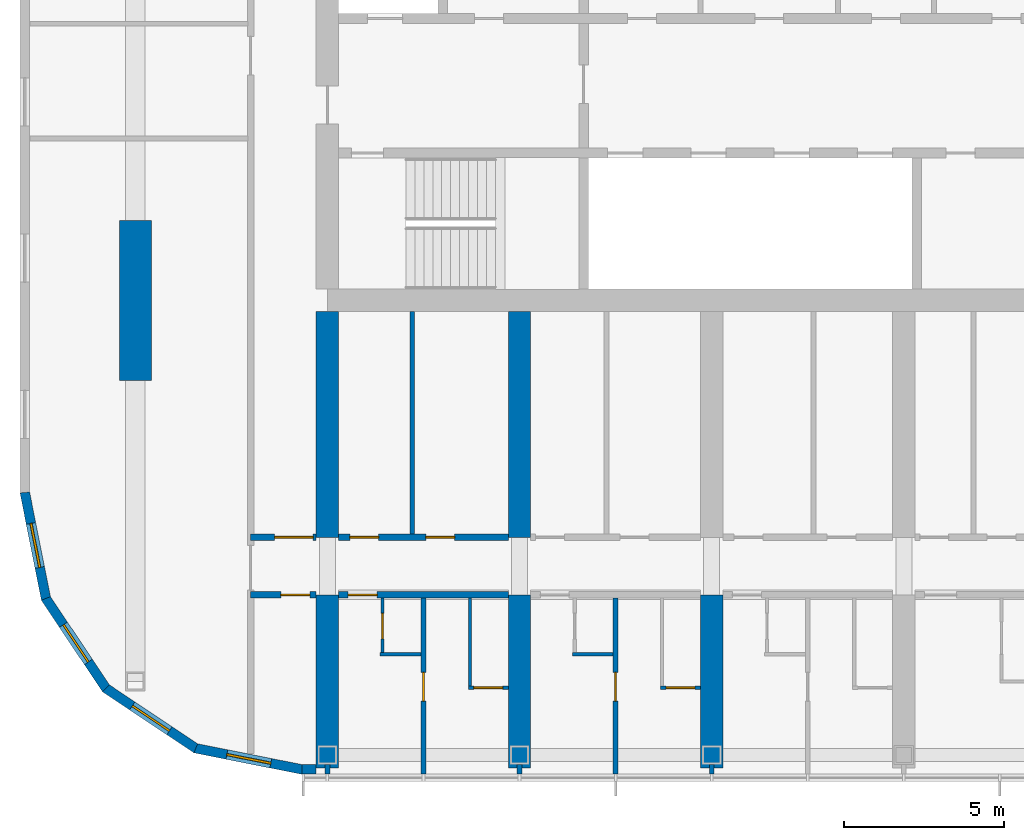
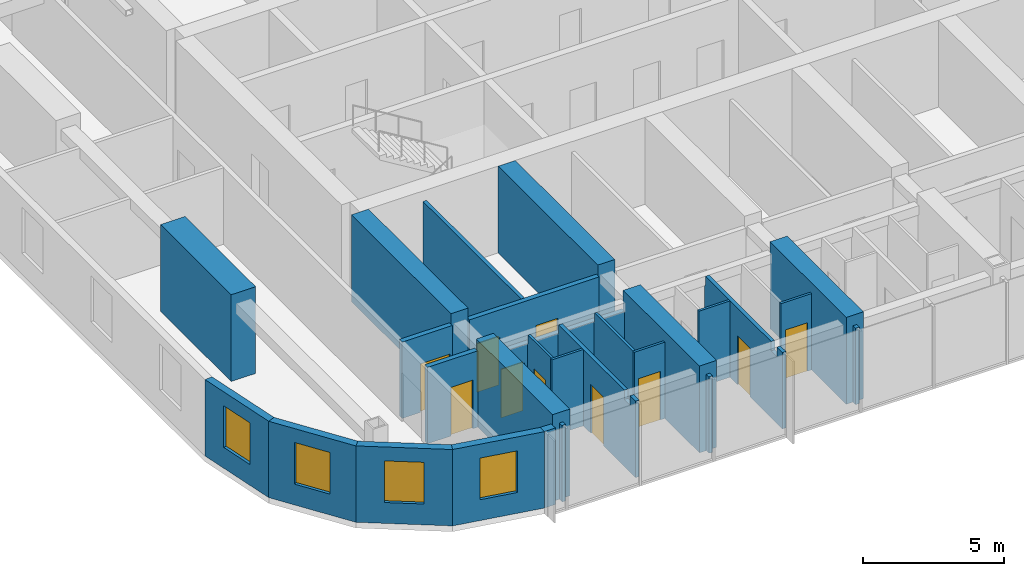
# One storey, part 10 of 24: 27 walls, 10 doors, 4 windows, 14 openings.
"""IFC4 building model written with IfcOpenShell, lengths in metres."""

from ifc_helpers import new_model, si_unit, direction, frame, frame_2d, origin, place, context, subcontext, project, spatial, polyline, rectangle, outline, extrude, material, layer, layer_set, type_object, element, fill, save


model = new_model("IFC4")

# Units and contexts
model_context = context("Model", 3, precision=1e-05, world=origin(), true_north=direction((0.0, 1.0)))
body_context = subcontext(model_context, "Body", "Model", "MODEL_VIEW")
ifc_project = project(units=[si_unit("LENGTHUNIT", "METRE"), si_unit("AREAUNIT", "SQUARE_METRE"), si_unit("VOLUMEUNIT", "CUBIC_METRE"), si_unit("PLANEANGLEUNIT", "RADIAN"), si_unit("MASSUNIT", "GRAM", prefix="KILO")], contexts=[model_context])

# Site, building, storey
site_placement = place(None, origin())
site = spatial("IfcSite", under=ifc_project, at=site_placement, CompositionType="ELEMENT")
building_placement = place(site_placement, origin())
building = spatial("IfcBuilding", under=site, at=building_placement, Name="Orbita Commons", CompositionType="ELEMENT")
storey_placement = place(building_placement, frame((0.0, 0.0, 242.800048828125)))
storey = spatial("IfcBuildingStorey", under=building, at=storey_placement, Name="L60", CompositionType="ELEMENT", Elevation=242.800048828125)

# Wall, opening, door
ifc_material_1 = material(Name="Concrete blockwork", Category="masonry")
ifc_layer_1 = layer(ifc_material_1, 0.199951171875)
ifc_layer_set_1 = layer_set([ifc_layer_1], Name="Concrete blockwork")
wall_type_1 = type_object("IfcWallType", Name="Corridor wall 200 blockwork", PredefinedType="SOLIDWALL", material=ifc_layer_set_1)
wall_1_placement = place(storey_placement, frame((15.60009765625, 16.60009765625, 0.0), z_axis=(0.0, 0.0, 1.0), x_axis=(1.0, 0.0, 0.0)))
wall_1 = element("IfcWall", 1, at=wall_1_placement, inside=storey, type_object=wall_type_1, Name="Corridor wall 200 blockwork L60", PredefinedType="SOLIDWALL", context=body_context, shape_type="SweptSolid", body=[
    extrude(rectangle(XDim=2.0498046875, YDim=0.199951171875, at=frame_2d((1.02490234375, 0.0))), origin(), (0.0, 0.0, 1.0), 3.300048828125),
])
opening_1_placement = place(wall_1_placement, frame((0.949951171875, 0.0, 0.0)))
opening_1 = element("IfcOpeningElement", 2, at=opening_1_placement, cuts=wall_1, Name="Opening D05", PredefinedType="OPENING", context=body_context, shape_type="SweptSolid", body=[
    extrude(rectangle(XDim=0.89990234375, YDim=2.10009765625, at=frame_2d((0.449951171875, 1.050048828125))), frame((0.0, 0.10986328125, 0.0), z_axis=(0.0, -1.0, 0.0), x_axis=(1.0, 0.0, 0.0)), (0.0, 0.0, 1.0), 0.219970703125),
])
ifc_material_2 = material(Name="Steel-faced fire door leaf", Category="steel")
door_type_1 = type_object("IfcDoorType", Name="Service door 20 min 900x2100", OperationType="SINGLE_SWING_LEFT", PredefinedType="DOOR", material=ifc_material_2)
door_1_placement = place(opening_1_placement, origin())
door_1 = element("IfcDoor", 3, at=door_1_placement, inside=storey, type_object=door_type_1, Name="Linen store L60-KWS door", OperationType="SINGLE_SWING_LEFT", OverallHeight=2.10009765625, OverallWidth=0.89990234375, PredefinedType="DOOR", context=body_context, shape_type="SweptSolid", body=[
    extrude(rectangle(XDim=0.89990234375, YDim=2.10009765625, at=frame_2d((0.449951171875, 1.050048828125))), frame((0.0, 0.02490234375, 0.0), z_axis=(0.0, -1.0, 0.0), x_axis=(1.0, 0.0, 0.0)), (0.0, 0.0, 1.0), 0.050048828125),
])
fill(opening_1, door_1)

wall_2_placement = place(storey_placement, frame((18.35009765625, 16.60009765625, 0.0), z_axis=(0.0, 0.0, 1.0), x_axis=(1.0, 0.0, 0.0)))
wall_2 = element("IfcWall", 4, at=wall_2_placement, inside=storey, type_object=wall_type_1, Name="Corridor wall 200 blockwork L60", PredefinedType="SOLIDWALL", context=body_context, shape_type="SweptSolid", body=[
    extrude(outline(polyline([(0.0, 0.0), (5.2998046875, 0.0), (5.300048828125, 2.89990234375), (0.0, 2.89990234375), (0.0, 0.0)])), frame((0.0, 0.10009765625, 0.0), z_axis=(0.0, -1.0, 0.0), x_axis=(1.0, 0.0, 0.0)), (0.0, 0.0, 1.0), 0.199951171875),
])
opening_2_placement = place(wall_2_placement, frame((0.300048828125, 0.0, 0.0)))
opening_2 = element("IfcOpeningElement", 5, at=opening_2_placement, cuts=wall_2, Name="Opening D11", PredefinedType="OPENING", context=body_context, shape_type="SweptSolid", body=[
    extrude(rectangle(XDim=0.89990234375, YDim=2.10009765625, at=frame_2d((0.449951171875, 1.050048828125))), frame((0.0, 0.10986328125, 0.0), z_axis=(0.0, -1.0, 0.0), x_axis=(1.0, 0.0, 0.0)), (0.0, 0.0, 1.0), 0.219970703125),
])
ifc_material_3 = material(Name="Steel-faced fire door leaf", Category="steel")
door_type_2 = type_object("IfcDoorType", Name="Corridor door 20 min 900x2100", OperationType="SINGLE_SWING_LEFT", PredefinedType="DOOR", material=ifc_material_3)
door_2_placement = place(opening_2_placement, origin())
door_2 = element("IfcDoor", 6, at=door_2_placement, inside=storey, type_object=door_type_2, Name="Guest suite sitting room and kitchenette L60-S00 entrance door", OperationType="SINGLE_SWING_LEFT", OverallHeight=2.10009765625, OverallWidth=0.89990234375, PredefinedType="DOOR", context=body_context, shape_type="SweptSolid", body=[
    extrude(rectangle(XDim=0.89990234375, YDim=2.10009765625, at=frame_2d((0.449951171875, 1.050048828125))), frame((0.0, 0.02490234375, 0.0), z_axis=(0.0, -1.0, 0.0), x_axis=(1.0, 0.0, 0.0)), (0.0, 0.0, 1.0), 0.050048828125),
])
fill(opening_2, door_2)

ifc_material_4 = material(Name="Hollow concrete block 200", Category="concrete")
ifc_layer_2 = layer(ifc_material_4, 0.199951171875)
ifc_layer_set_2 = layer_set([ifc_layer_2], Name="Hollow concrete block 200")
wall_type_2 = type_object("IfcWallType", Name="Corridor wall 200 hollow concrete block", PredefinedType="SOLIDWALL", material=ifc_layer_set_2)
wall_3_placement = place(storey_placement, frame((15.60009765625, 18.39990234375, 0.0), z_axis=(0.0, 0.0, 1.0), x_axis=(1.0, 0.0, 0.0)))
wall_3 = element("IfcWall", 7, at=wall_3_placement, inside=storey, type_object=wall_type_2, Name="Corridor wall 200 hollow concrete block L60", PredefinedType="SOLIDWALL", context=body_context, shape_type="SweptSolid", body=[
    extrude(rectangle(XDim=2.0498046875, YDim=0.199951171875, at=frame_2d((1.02490234375, 0.0))), origin(), (0.0, 0.0, 1.0), 3.300048828125),
])
opening_3_placement = place(wall_3_placement, frame((0.75, 0.0, 0.0)))
opening_3 = element("IfcOpeningElement", 8, at=opening_3_placement, cuts=wall_3, Name="Opening D12", PredefinedType="OPENING", context=body_context, shape_type="SweptSolid", body=[
    extrude(rectangle(XDim=1.199951171875, YDim=2.10009765625, at=frame_2d((0.60009765625, 1.050048828125))), frame((0.0, 0.10986328125, 0.0), z_axis=(0.0, -1.0, 0.0), x_axis=(1.0, 0.0, 0.0)), (0.0, 0.0, 1.0), 0.219970703125),
])
ifc_material_5 = material(Name="Steel-faced fire door leaf", Category="steel")
door_type_3 = type_object("IfcDoorType", Name="Double corridor door 20 min 1200x2100", OperationType="DOUBLE_DOOR_SINGLE_SWING", PredefinedType="DOOR", material=ifc_material_5)
door_3_placement = place(opening_3_placement, origin())
door_3 = element("IfcDoor", 9, at=door_3_placement, inside=storey, type_object=door_type_3, Name="Cross corridor doors", OperationType="DOUBLE_DOOR_SINGLE_SWING", OverallHeight=2.10009765625, OverallWidth=1.199951171875, PredefinedType="DOOR", context=body_context, shape_type="SweptSolid", body=[
    extrude(rectangle(XDim=1.199951171875, YDim=2.10009765625, at=frame_2d((0.60009765625, 1.050048828125))), frame((0.0, 0.02490234375, 0.0), z_axis=(0.0, -1.0, 0.0), x_axis=(1.0, 0.0, 0.0)), (0.0, 0.0, 1.0), 0.050048828125),
])
fill(opening_3, door_3)

# Wall, openings, doors
wall_4_placement = place(storey_placement, frame((18.35009765625, 18.39990234375, 0.0), z_axis=(0.0, 0.0, 1.0), x_axis=(1.0, 0.0, 0.0)))
wall_4 = element("IfcWall", 10, at=wall_4_placement, inside=storey, type_object=wall_type_2, Name="Corridor wall 200 hollow concrete block L60", PredefinedType="SOLIDWALL", context=body_context, shape_type="SweptSolid", body=[
    extrude(rectangle(XDim=5.2998046875, YDim=0.199951171875, at=frame_2d((2.64990234375, 0.0))), origin(), (0.0, 0.0, 1.0), 3.300048828125),
])
opening_4_placement = place(wall_4_placement, frame((0.35009765625, 0.0, 0.0)))
opening_4 = element("IfcOpeningElement", 11, at=opening_4_placement, cuts=wall_4, Name="Opening D11", PredefinedType="OPENING", context=body_context, shape_type="SweptSolid", body=[
    extrude(rectangle(XDim=0.89990234375, YDim=2.10009765625, at=frame_2d((0.449951171875, 1.050048828125))), frame((0.0, 0.10986328125, 0.0), z_axis=(0.0, -1.0, 0.0), x_axis=(1.0, 0.0, 0.0)), (0.0, 0.0, 1.0), 0.219970703125),
])
opening_5_placement = place(wall_4_placement, frame((2.72509765625, 0.0, 0.0)))
opening_5 = element("IfcOpeningElement", 12, at=opening_5_placement, cuts=wall_4, Name="Opening D11", PredefinedType="OPENING", context=body_context, shape_type="SweptSolid", body=[
    extrude(rectangle(XDim=0.89990234375, YDim=2.10009765625, at=frame_2d((0.449951171875, 1.050048828125))), frame((0.0, 0.10986328125, 0.0), z_axis=(0.0, -1.0, 0.0), x_axis=(1.0, 0.0, 0.0)), (0.0, 0.0, 1.0), 0.219970703125),
])
door_4_placement = place(opening_4_placement, origin())
door_4 = element("IfcDoor", 13, at=door_4_placement, inside=storey, type_object=door_type_2, Name="Accessible WC and shower room L60-BDS18n door", OperationType="SINGLE_SWING_LEFT", OverallHeight=2.10009765625, OverallWidth=0.89990234375, PredefinedType="DOOR", context=body_context, shape_type="SweptSolid", body=[
    extrude(rectangle(XDim=0.89990234375, YDim=2.10009765625, at=frame_2d((0.449951171875, 1.050048828125))), frame((0.0, 0.02490234375, 0.0), z_axis=(0.0, -1.0, 0.0), x_axis=(1.0, 0.0, 0.0)), (0.0, 0.0, 1.0), 0.050048828125),
])
fill(opening_4, door_4)
door_5_placement = place(opening_5_placement, origin())
door_5 = element("IfcDoor", 14, at=door_5_placement, inside=storey, type_object=door_type_2, Name="Interview room L60-BDS18 door", OperationType="SINGLE_SWING_LEFT", OverallHeight=2.10009765625, OverallWidth=0.89990234375, PredefinedType="DOOR", context=body_context, shape_type="SweptSolid", body=[
    extrude(rectangle(XDim=0.89990234375, YDim=2.10009765625, at=frame_2d((0.449951171875, 1.050048828125))), frame((0.0, 0.02490234375, 0.0), z_axis=(0.0, -1.0, 0.0), x_axis=(1.0, 0.0, 0.0)), (0.0, 0.0, 1.0), 0.050048828125),
])
fill(opening_5, door_5)

# Walls
ifc_material_6 = material(Name="Concrete C50/60", Category="concrete")
ifc_layer_3 = layer(ifc_material_6, 0.699951171875)
ifc_layer_set_3 = layer_set([ifc_layer_3], Name="Concrete C50/60")
wall_type_3 = type_object("IfcWallType", Name="Cross wall 700 C50/60", PredefinedType="SHEAR", material=ifc_layer_set_3)
wall_5_placement = place(storey_placement, frame((18.0, 11.199951171875, 0.0), z_axis=(0.0, 0.0, 1.0), x_axis=(0.0, 1.0, 0.0)))
element("IfcWall", 15, at=wall_5_placement, inside=storey, type_object=wall_type_3, Name="Cross wall 4 south outer L60", PredefinedType="SHEAR", context=body_context, shape_type="SweptSolid", body=[
    extrude(rectangle(XDim=5.400146484375, YDim=0.699951171875, at=frame_2d((2.7001953125, 0.0))), origin(), (0.0, 0.0, 1.0), 3.75),
])
wall_6_placement = place(storey_placement, frame((18.0, 18.39990234375, 0.0), z_axis=(0.0, 0.0, 1.0), x_axis=(0.0, 1.0, 0.0)))
element("IfcWall", 16, at=wall_6_placement, inside=storey, type_object=wall_type_3, Name="Cross wall 4 south inner L60", PredefinedType="SHEAR", context=body_context, shape_type="SweptSolid", body=[
    extrude(rectangle(XDim=7.050048828125, YDim=0.699951171875, at=frame_2d((3.52490234375, 0.0))), origin(), (0.0, 0.0, 1.0), 3.75),
])
wall_7_placement = place(storey_placement, frame((24.0, 11.199951171875, 0.0), z_axis=(0.0, 0.0, 1.0), x_axis=(0.0, 1.0, 0.0)))
element("IfcWall", 17, at=wall_7_placement, inside=storey, type_object=wall_type_3, Name="Cross wall 5 south outer L60", PredefinedType="SHEAR", context=body_context, shape_type="SweptSolid", body=[
    extrude(rectangle(XDim=5.400146484375, YDim=0.699951171875, at=frame_2d((2.7001953125, 0.0))), origin(), (0.0, 0.0, 1.0), 3.75),
])
wall_8_placement = place(storey_placement, frame((24.0, 18.39990234375, 0.0), z_axis=(0.0, 0.0, 1.0), x_axis=(0.0, 1.0, 0.0)))
element("IfcWall", 18, at=wall_8_placement, inside=storey, type_object=wall_type_3, Name="Cross wall 5 south inner L60", PredefinedType="SHEAR", context=body_context, shape_type="SweptSolid", body=[
    extrude(rectangle(XDim=7.050048828125, YDim=0.699951171875, at=frame_2d((3.52490234375, 0.0))), origin(), (0.0, 0.0, 1.0), 3.75),
])
wall_9_placement = place(storey_placement, frame((30.0, 11.199951171875, 0.0), z_axis=(0.0, 0.0, 1.0), x_axis=(0.0, 1.0, 0.0)))
element("IfcWall", 19, at=wall_9_placement, inside=storey, type_object=wall_type_3, Name="Cross wall 6 south outer L60", PredefinedType="SHEAR", context=body_context, shape_type="SweptSolid", body=[
    extrude(rectangle(XDim=5.400146484375, YDim=0.699951171875, at=frame_2d((2.7001953125, 0.0))), origin(), (0.0, 0.0, 1.0), 3.75),
])

# Wall, opening, door
ifc_material_7 = material(Name="Moisture-resistant plasterboard on steel studs", Category="steel")
ifc_layer_4 = layer(ifc_material_7, 0.10009765625)
ifc_layer_set_4 = layer_set([ifc_layer_4], Name="Moisture-resistant plasterboard on steel studs")
wall_type_4 = type_object("IfcWallType", Name="En-suite partition 100", PredefinedType="PARTITIONING", material=ifc_layer_set_4)
wall_10_placement = place(storey_placement, frame((23.64990234375, 13.699951171875, 0.0), z_axis=(0.0, 0.0, 1.0), x_axis=(-1.0, 0.0, 0.0)))
wall_10 = element("IfcWall", 20, at=wall_10_placement, inside=storey, type_object=wall_type_4, Name="En-suite partition 100 L60", PredefinedType="PARTITIONING", context=body_context, shape_type="SweptSolid", body=[
    extrude(rectangle(XDim=1.25, YDim=0.10009765625, at=frame_2d((0.625, 0.0))), origin(), (0.0, 0.0, 1.0), 3.300048828125),
])
opening_6_placement = place(wall_10_placement, frame((0.175048828125, 0.0, 0.0)))
opening_6 = element("IfcOpeningElement", 21, at=opening_6_placement, cuts=wall_10, Name="Opening D09", PredefinedType="OPENING", context=body_context, shape_type="SweptSolid", body=[
    extrude(rectangle(XDim=0.89990234375, YDim=2.10009765625, at=frame_2d((0.449951171875, 1.050048828125))), frame((0.0, 0.06005859375, 0.0), z_axis=(0.0, -1.0, 0.0), x_axis=(1.0, 0.0, 0.0)), (0.0, 0.0, 1.0), 0.1201171875),
])
ifc_material_8 = material(Name="Laminated timber door leaf", Category="wood")
door_type_4 = type_object("IfcDoorType", Name="En-suite door 900x2100", OperationType="SINGLE_SWING_RIGHT", PredefinedType="DOOR", material=ifc_material_8)
door_6_placement = place(opening_6_placement, origin())
door_6 = element("IfcDoor", 22, at=door_6_placement, inside=storey, type_object=door_type_4, Name="En-suite L60-S01 door", OperationType="SINGLE_SWING_RIGHT", OverallHeight=2.10009765625, OverallWidth=0.89990234375, PredefinedType="DOOR", context=body_context, shape_type="SweptSolid", body=[
    extrude(rectangle(XDim=0.89990234375, YDim=2.10009765625, at=frame_2d((0.449951171875, 1.050048828125))), frame((0.0, 0.02490234375, 0.0), z_axis=(0.0, -1.0, 0.0), x_axis=(1.0, 0.0, 0.0)), (0.0, 0.0, 1.0), 0.050048828125),
])
fill(opening_6, door_6)

# Walls
wall_11_placement = place(storey_placement, frame((22.449951171875, 13.75, 0.0), z_axis=(0.0, 0.0, 1.0), x_axis=(0.0, 1.0, 0.0)))
element("IfcWall", 23, at=wall_11_placement, inside=storey, type_object=wall_type_4, Name="En-suite partition 100 L60", PredefinedType="PARTITIONING", context=body_context, shape_type="SweptSolid", body=[
    extrude(outline(polyline([(0.0, 0.0), (2.75, 0.0), (2.75, 2.89990234375), (2.701904296875, 2.89990234375), (2.699951171875, 3.300048828125), (0.0, 3.300048828125), (0.0, 0.0)])), frame((0.0, 0.050048828125, 0.0), z_axis=(0.0, -1.0, 0.0), x_axis=(1.0, 0.0, 0.0)), (0.0, 0.0, 1.0), 0.10009765625),
])
wall_12_placement = place(storey_placement, frame((19.64990234375, 14.75, 0.0), z_axis=(0.0, 0.0, 1.0), x_axis=(1.0, 0.0, 0.0)))
element("IfcWall", 24, at=wall_12_placement, inside=storey, type_object=wall_type_4, Name="En-suite partition 100 L60", PredefinedType="PARTITIONING", context=body_context, shape_type="SweptSolid", body=[
    extrude(rectangle(XDim=1.275146484375, YDim=0.10009765625, at=frame_2d((0.6376953125, 0.0))), origin(), (0.0, 0.0, 1.0), 3.300048828125),
])

# Wall, opening, door
wall_13_placement = place(storey_placement, frame((19.72509765625, 14.75, 0.0), z_axis=(0.0, 0.0, 1.0), x_axis=(0.0, 1.0, 0.0)))
wall_13 = element("IfcWall", 25, at=wall_13_placement, inside=storey, type_object=wall_type_4, Name="En-suite partition 100 L60", PredefinedType="PARTITIONING", context=body_context, shape_type="SweptSolid", body=[
    extrude(outline(polyline([(0.0, 0.0), (1.75, 0.0), (1.75, 2.89990234375), (1.701904296875, 2.89990234375), (1.699951171875, 3.300048828125), (0.0, 3.300048828125), (0.0, 0.0)])), frame((0.0, 0.050048828125, 0.0), z_axis=(0.0, -1.0, 0.0), x_axis=(1.0, 0.0, 0.0)), (0.0, 0.0, 1.0), 0.10009765625),
])
opening_7_placement = place(wall_13_placement, frame((0.47509765625, 0.0, 0.0)))
opening_7 = element("IfcOpeningElement", 26, at=opening_7_placement, cuts=wall_13, Name="Opening D16", PredefinedType="OPENING", context=body_context, shape_type="SweptSolid", body=[
    extrude(rectangle(XDim=0.800048828125, YDim=2.10009765625, at=frame_2d((0.39990234375, 1.050048828125))), frame((0.0, 0.06005859375, 0.0), z_axis=(0.0, -1.0, 0.0), x_axis=(1.0, 0.0, 0.0)), (0.0, 0.0, 1.0), 0.1201171875),
])
ifc_material_9 = material(Name="Laminated timber door leaf", Category="wood")
door_type_5 = type_object("IfcDoorType", Name="En-suite door 800x2100", OperationType="SINGLE_SWING_RIGHT", PredefinedType="DOOR", material=ifc_material_9)
door_7_placement = place(opening_7_placement, origin())
door_7 = element("IfcDoor", 27, at=door_7_placement, inside=storey, type_object=door_type_5, Name="Guest suite WC L60-S00 door", OperationType="SINGLE_SWING_RIGHT", OverallHeight=2.10009765625, OverallWidth=0.800048828125, PredefinedType="DOOR", context=body_context, shape_type="SweptSolid", body=[
    extrude(rectangle(XDim=0.800048828125, YDim=2.10009765625, at=frame_2d((0.39990234375, 1.050048828125))), frame((0.0, 0.02490234375, 0.0), z_axis=(0.0, -1.0, 0.0), x_axis=(1.0, 0.0, 0.0)), (0.0, 0.0, 1.0), 0.050048828125),
])
fill(opening_7, door_7)

wall_14_placement = place(storey_placement, frame((29.64990234375, 13.699951171875, 0.0), z_axis=(0.0, 0.0, 1.0), x_axis=(-1.0, 0.0, 0.0)))
wall_14 = element("IfcWall", 28, at=wall_14_placement, inside=storey, type_object=wall_type_4, Name="En-suite partition 100 L60", PredefinedType="PARTITIONING", context=body_context, shape_type="SweptSolid", body=[
    extrude(rectangle(XDim=1.25, YDim=0.10009765625, at=frame_2d((0.625, 0.0))), origin(), (0.0, 0.0, 1.0), 3.300048828125),
])
opening_8_placement = place(wall_14_placement, frame((0.175048828125, 0.0, 0.0)))
opening_8 = element("IfcOpeningElement", 29, at=opening_8_placement, cuts=wall_14, Name="Opening D09", PredefinedType="OPENING", context=body_context, shape_type="SweptSolid", body=[
    extrude(rectangle(XDim=0.89990234375, YDim=2.10009765625, at=frame_2d((0.449951171875, 1.050048828125))), frame((0.0, 0.06005859375, 0.0), z_axis=(0.0, -1.0, 0.0), x_axis=(1.0, 0.0, 0.0)), (0.0, 0.0, 1.0), 0.1201171875),
])
door_8_placement = place(opening_8_placement, origin())
door_8 = element("IfcDoor", 30, at=door_8_placement, inside=storey, type_object=door_type_4, Name="En-suite L60-S03 door", OperationType="SINGLE_SWING_RIGHT", OverallHeight=2.10009765625, OverallWidth=0.89990234375, PredefinedType="DOOR", context=body_context, shape_type="SweptSolid", body=[
    extrude(rectangle(XDim=0.89990234375, YDim=2.10009765625, at=frame_2d((0.449951171875, 1.050048828125))), frame((0.0, 0.02490234375, 0.0), z_axis=(0.0, -1.0, 0.0), x_axis=(1.0, 0.0, 0.0)), (0.0, 0.0, 1.0), 0.050048828125),
])
fill(opening_8, door_8)

# Walls
wall_15_placement = place(storey_placement, frame((25.64990234375, 14.75, 0.0), z_axis=(0.0, 0.0, 1.0), x_axis=(1.0, 0.0, 0.0)))
element("IfcWall", 31, at=wall_15_placement, inside=storey, type_object=wall_type_4, Name="En-suite partition 100 L60", PredefinedType="PARTITIONING", context=body_context, shape_type="SweptSolid", body=[
    extrude(rectangle(XDim=1.275146484375, YDim=0.10009765625, at=frame_2d((0.6376953125, 0.0))), origin(), (0.0, 0.0, 1.0), 3.300048828125),
])
ifc_material_10 = material(Name="Concrete C50/60", Category="concrete")
ifc_layer_5 = layer(ifc_material_10, 1.0)
ifc_layer_set_5 = layer_set([ifc_layer_5], Name="Concrete C50/60")
wall_type_5 = type_object("IfcWallType", Name="End pier 1000x5000 C50/60", PredefinedType="SHEAR", material=ifc_layer_set_5)
wall_16_placement = place(storey_placement, frame((12.0, 23.300048828125, 0.0), z_axis=(0.0, 0.0, 1.0), x_axis=(0.0, 1.0, 0.0)))
element("IfcWall", 32, at=wall_16_placement, inside=storey, type_object=wall_type_5, Name="End pier 3/C L60", PredefinedType="SHEAR", context=body_context, shape_type="SweptSolid", body=[
    extrude(rectangle(XDim=5.0, YDim=1.0, at=frame_2d((2.5, 0.0))), origin(), (0.0, 0.0, 1.0), 3.75),
])

# Wall, opening, door
ifc_material_11 = material(Name="Gypsum plasterboard on steel studs", Category="steel")
ifc_layer_6 = layer(ifc_material_11, 0.14990234375)
ifc_layer_set_6 = layer_set([ifc_layer_6], Name="Gypsum plasterboard on steel studs")
wall_type_6 = type_object("IfcWallType", Name="Partition 150 plasterboard", PredefinedType="PARTITIONING", material=ifc_layer_set_6)
wall_17_placement = place(storey_placement, frame((21.0, 11.010009765625, 0.0), z_axis=(0.0, 0.0, 1.0), x_axis=(0.0, 1.0, 0.0)))
wall_17 = element("IfcWall", 33, at=wall_17_placement, inside=storey, type_object=wall_type_6, Name="Partition 150 plasterboard L60", PredefinedType="PARTITIONING", context=body_context, shape_type="SweptSolid", body=[
    extrude(outline(polyline([(0.0, 0.0), (5.489990234375, 0.0), (5.489990234375, 2.89990234375), (5.44189453125, 2.89990234375), (5.43994140625, 3.300048828125), (0.7919921875, 3.300048828125), (0.7900390625, 2.89990234375), (0.39208984375, 2.89990234375), (0.389892578125, 3.300048828125), (0.0, 3.300048828125), (0.0, 0.0)])), frame((0.0, 0.074951171875, 0.0), z_axis=(0.0, -1.0, 0.0), x_axis=(1.0, 0.0, 0.0)), (0.0, 0.0, 1.0), 0.14990234375),
])
opening_9_placement = place(wall_17_placement, frame((2.27001953125, 0.0, 0.0)))
opening_9 = element("IfcOpeningElement", 34, at=opening_9_placement, cuts=wall_17, Name="Opening D09", PredefinedType="OPENING", context=body_context, shape_type="SweptSolid", body=[
    extrude(rectangle(XDim=0.89990234375, YDim=2.10009765625, at=frame_2d((0.449951171875, 1.050048828125))), frame((0.0, 0.0849609375, 0.0), z_axis=(0.0, -1.0, 0.0), x_axis=(1.0, 0.0, 0.0)), (0.0, 0.0, 1.0), 0.169921875),
])
door_9_placement = place(opening_9_placement, origin())
door_9 = element("IfcDoor", 35, at=door_9_placement, inside=storey, type_object=door_type_4, Name="Guest suite bedroom L60-S00 door", OperationType="SINGLE_SWING_RIGHT", OverallHeight=2.10009765625, OverallWidth=0.89990234375, PredefinedType="DOOR", context=body_context, shape_type="SweptSolid", body=[
    extrude(rectangle(XDim=0.89990234375, YDim=2.10009765625, at=frame_2d((0.449951171875, 1.050048828125))), frame((0.0, 0.02490234375, 0.0), z_axis=(0.0, -1.0, 0.0), x_axis=(1.0, 0.0, 0.0)), (0.0, 0.0, 1.0), 0.050048828125),
])
fill(opening_9, door_9)

wall_18_placement = place(storey_placement, frame((27.0, 11.010009765625, 0.0), z_axis=(0.0, 0.0, 1.0), x_axis=(0.0, 1.0, 0.0)))
wall_18 = element("IfcWall", 36, at=wall_18_placement, inside=storey, type_object=wall_type_6, Name="Partition 150 plasterboard L60", PredefinedType="PARTITIONING", context=body_context, shape_type="SweptSolid", body=[
    extrude(outline(polyline([(0.0, 0.0), (5.489990234375, 0.0), (5.489990234375, 2.89990234375), (5.44189453125, 2.89990234375), (5.43994140625, 3.300048828125), (0.7919921875, 3.300048828125), (0.7900390625, 2.89990234375), (0.39208984375, 2.89990234375), (0.389892578125, 3.300048828125), (0.0, 3.300048828125), (0.0, 0.0)])), frame((0.0, 0.074951171875, 0.0), z_axis=(0.0, -1.0, 0.0), x_axis=(1.0, 0.0, 0.0)), (0.0, 0.0, 1.0), 0.14990234375),
])
opening_10_placement = place(wall_18_placement, frame((2.27001953125, 0.0, 0.0)))
opening_10 = element("IfcOpeningElement", 37, at=opening_10_placement, cuts=wall_18, Name="Opening D09", PredefinedType="OPENING", context=body_context, shape_type="SweptSolid", body=[
    extrude(rectangle(XDim=0.89990234375, YDim=2.10009765625, at=frame_2d((0.449951171875, 1.050048828125))), frame((0.0, 0.0849609375, 0.0), z_axis=(0.0, -1.0, 0.0), x_axis=(1.0, 0.0, 0.0)), (0.0, 0.0, 1.0), 0.169921875),
])
door_10_placement = place(opening_10_placement, origin())
door_10 = element("IfcDoor", 38, at=door_10_placement, inside=storey, type_object=door_type_4, Name="Guest suite bedroom L60-S02 door", OperationType="SINGLE_SWING_RIGHT", OverallHeight=2.10009765625, OverallWidth=0.89990234375, PredefinedType="DOOR", context=body_context, shape_type="SweptSolid", body=[
    extrude(rectangle(XDim=0.89990234375, YDim=2.10009765625, at=frame_2d((0.449951171875, 1.050048828125))), frame((0.0, 0.02490234375, 0.0), z_axis=(0.0, -1.0, 0.0), x_axis=(1.0, 0.0, 0.0)), (0.0, 0.0, 1.0), 0.050048828125),
])
fill(opening_10, door_10)

# Walls
wall_19_placement = place(storey_placement, frame((20.64990234375, 18.5, 0.0), z_axis=(0.0, 0.0, 1.0), x_axis=(0.0, 1.0, 0.0)))
element("IfcWall", 39, at=wall_19_placement, inside=storey, type_object=wall_type_6, Name="Partition 150 plasterboard L60", PredefinedType="PARTITIONING", context=body_context, shape_type="SweptSolid", body=[
    extrude(rectangle(XDim=6.949951171875, YDim=0.14990234375, at=frame_2d((3.47509765625, 0.0))), origin(), (0.0, 0.0, 1.0), 3.300048828125),
])
for number, where, z_axis, x_axis, name in (
    (40, (18.0, 11.300048828125, 0.0), (0.0, 0.0, 1.0), (0.0, -1.0, 0.0), "Partition 150 plasterboard L60"),
    (41, (24.0, 11.300048828125, 0.0), (0.0, 0.0, 1.0), (0.0, -1.0, 0.0), "Partition 150 plasterboard L60"),
    (42, (30.0, 11.300048828125, 0.0), (0.0, 0.0, 1.0), (0.0, -1.0, 0.0), "Partition 150 plasterboard L60"),
):
    element("IfcWall", number, at=place(storey_placement, frame(where, z_axis=z_axis, x_axis=x_axis)), inside=storey, type_object=wall_type_6, Name=name, PredefinedType="PARTITIONING", context=body_context, shape_type="SweptSolid", body=[
        extrude(rectangle(XDim=0.2900390625, YDim=0.14990234375, at=frame_2d((0.14501953125, 0.0))), origin(), (0.0, 0.0, 1.0), 3.300048828125),
    ])

# Wall, opening, window
ifc_material_12 = material(Name="Precast concrete C40/50, white board-marked finish", Category="concrete")
ifc_layer_7 = layer(ifc_material_12, 0.300048828125)
ifc_layer_set_7 = layer_set([ifc_layer_7], Name="Precast concrete C40/50, white board-marked finish")
wall_type_7 = type_object("IfcWallType", Name="Precast concrete end shield 300", PredefinedType="SOLIDWALL", material=ifc_layer_set_7)
wall_20_placement = place(storey_placement, frame((8.550048828125, 19.800048828125, 0.0), z_axis=(0.0, 0.0, 1.0), x_axis=(0.19508664885, -0.980786011034, 0.0)))
wall_20 = element("IfcWall", 43, at=wall_20_placement, inside=storey, type_object=wall_type_7, Name="End shield SW chord 1 L60", PredefinedType="SOLIDWALL", context=body_context, shape_type="SweptSolid", body=[
    extrude(outline(polyline([(-0.014892578125, -0.14990234375), (3.405029296875, -0.14990234375), (3.345458984375, 0.14990234375), (0.014892578125, 0.14990234375), (-0.014892578125, -0.14990234375)])), origin(), (0.0, 0.0, 1.0), 3.300048828125),
])
opening_11_placement = place(wall_20_placement, frame((0.987548828125, 0.0, 0.89990234375)))
opening_11 = element("IfcOpeningElement", 44, at=opening_11_placement, cuts=wall_20, Name="Opening W02", PredefinedType="OPENING", context=body_context, shape_type="SweptSolid", body=[
    extrude(rectangle(XDim=1.39990234375, YDim=1.800048828125, at=frame_2d((0.699951171875, 0.89990234375))), frame((0.0, 0.159912109375, 0.0), z_axis=(0.0, -1.0, 0.0), x_axis=(1.0, 0.0, 0.0)), (0.0, 0.0, 1.0), 0.320068359375),
])
ifc_material_13 = material(Name="Aluminium frame, clear double glazing", Category="aluminium")
window_type = type_object("IfcWindowType", Name="Deep-set window 1400x1800", PartitioningType="SINGLE_PANEL", PredefinedType="WINDOW", material=ifc_material_13)
window_1_placement = place(opening_11_placement, origin())
window_1 = element("IfcWindow", 45, at=window_1_placement, inside=storey, type_object=window_type, Name="Window L60-SW0", OverallHeight=1.800048828125, OverallWidth=1.39990234375, PartitioningType="SINGLE_PANEL", PredefinedType="WINDOW", context=body_context, shape_type="SweptSolid", body=[
    extrude(rectangle(XDim=1.39990234375, YDim=1.800048828125, at=frame_2d((0.699951171875, 0.89990234375))), frame((0.0, 0.030029296875, 0.0), z_axis=(0.0, -1.0, 0.0), x_axis=(1.0, 0.0, 0.0)), (0.0, 0.0, 1.0), 0.06005859375),
])
fill(opening_11, window_1)

wall_21_placement = place(storey_placement, frame((9.20849609375, 16.48974609375, 0.0), z_axis=(0.0, 0.0, 1.0), x_axis=(0.555567969291, -0.831471124873, 0.0)))
wall_21 = element("IfcWall", 46, at=wall_21_placement, inside=storey, type_object=wall_type_7, Name="End shield SW chord 2 L60", PredefinedType="SOLIDWALL", context=body_context, shape_type="SweptSolid", body=[
    extrude(outline(polyline([(-0.02978515625, -0.14990234375), (3.40478515625, -0.14990234375), (3.34521484375, 0.14990234375), (0.02978515625, 0.14990234375), (-0.02978515625, -0.14990234375)])), origin(), (0.0, 0.0, 1.0), 3.300048828125),
])
opening_12_placement = place(wall_21_placement, frame((0.987548828125, 0.0, 0.89990234375)))
opening_12 = element("IfcOpeningElement", 47, at=opening_12_placement, cuts=wall_21, Name="Opening W02", PredefinedType="OPENING", context=body_context, shape_type="SweptSolid", body=[
    extrude(rectangle(XDim=1.39990234375, YDim=1.800048828125, at=frame_2d((0.699951171875, 0.89990234375))), frame((0.0, 0.159912109375, 0.0), z_axis=(0.0, -1.0, 0.0), x_axis=(1.0, 0.0, 0.0)), (0.0, 0.0, 1.0), 0.320068359375),
])
window_2_placement = place(opening_12_placement, origin())
window_2 = element("IfcWindow", 48, at=window_2_placement, inside=storey, type_object=window_type, Name="Window L60-SW1", OverallHeight=1.800048828125, OverallWidth=1.39990234375, PartitioningType="SINGLE_PANEL", PredefinedType="WINDOW", context=body_context, shape_type="SweptSolid", body=[
    extrude(rectangle(XDim=1.39990234375, YDim=1.800048828125, at=frame_2d((0.699951171875, 0.89990234375))), frame((0.0, 0.030029296875, 0.0), z_axis=(0.0, -1.0, 0.0), x_axis=(1.0, 0.0, 0.0)), (0.0, 0.0, 1.0), 0.06005859375),
])
fill(opening_12, window_2)

wall_22_placement = place(storey_placement, frame((11.08349609375, 13.68359375, 0.0), z_axis=(0.0, 0.0, 1.0), x_axis=(0.831460037396, -0.555584562613, 0.0)))
wall_22 = element("IfcWall", 49, at=wall_22_placement, inside=storey, type_object=wall_type_7, Name="End shield SW chord 3 L60", PredefinedType="SOLIDWALL", context=body_context, shape_type="SweptSolid", body=[
    extrude(outline(polyline([(-0.02978515625, -0.14990234375), (3.405029296875, -0.14990234375), (3.345458984375, 0.14990234375), (0.02978515625, 0.14990234375), (-0.02978515625, -0.14990234375)])), origin(), (0.0, 0.0, 1.0), 3.300048828125),
])
opening_13_placement = place(wall_22_placement, frame((0.987548828125, 0.0, 0.89990234375)))
opening_13 = element("IfcOpeningElement", 50, at=opening_13_placement, cuts=wall_22, Name="Opening W02", PredefinedType="OPENING", context=body_context, shape_type="SweptSolid", body=[
    extrude(rectangle(XDim=1.39990234375, YDim=1.800048828125, at=frame_2d((0.699951171875, 0.89990234375))), frame((0.0, 0.159912109375, 0.0), z_axis=(0.0, -1.0, 0.0), x_axis=(1.0, 0.0, 0.0)), (0.0, 0.0, 1.0), 0.320068359375),
])
window_3_placement = place(opening_13_placement, origin())
window_3 = element("IfcWindow", 51, at=window_3_placement, inside=storey, type_object=window_type, Name="Window L60-SW2", OverallHeight=1.800048828125, OverallWidth=1.39990234375, PartitioningType="SINGLE_PANEL", PredefinedType="WINDOW", context=body_context, shape_type="SweptSolid", body=[
    extrude(rectangle(XDim=1.39990234375, YDim=1.800048828125, at=frame_2d((0.699951171875, 0.89990234375))), frame((0.0, 0.030029296875, 0.0), z_axis=(0.0, -1.0, 0.0), x_axis=(1.0, 0.0, 0.0)), (0.0, 0.0, 1.0), 0.06005859375),
])
fill(opening_13, window_3)

wall_23_placement = place(storey_placement, frame((13.889892578125, 11.808349609375, 0.0), z_axis=(0.0, 0.0, 1.0), x_axis=(0.98078325777, -0.195100490205, 0.0)))
wall_23 = element("IfcWall", 52, at=wall_23_placement, inside=storey, type_object=wall_type_7, Name="End shield SW chord 4 L60", PredefinedType="SOLIDWALL", context=body_context, shape_type="SweptSolid", body=[
    extrude(outline(polyline([(-0.02978515625, -0.14990234375), (3.40478515625, -0.14990234375), (3.34521484375, 0.14990234375), (0.02978515625, 0.14990234375), (-0.02978515625, -0.14990234375)])), origin(), (0.0, 0.0, 1.0), 3.300048828125),
])
opening_14_placement = place(wall_23_placement, frame((0.987548828125, 0.0, 0.89990234375)))
opening_14 = element("IfcOpeningElement", 53, at=opening_14_placement, cuts=wall_23, Name="Opening W02", PredefinedType="OPENING", context=body_context, shape_type="SweptSolid", body=[
    extrude(rectangle(XDim=1.39990234375, YDim=1.800048828125, at=frame_2d((0.699951171875, 0.89990234375))), frame((0.0, 0.159912109375, 0.0), z_axis=(0.0, -1.0, 0.0), x_axis=(1.0, 0.0, 0.0)), (0.0, 0.0, 1.0), 0.320068359375),
])
window_4_placement = place(opening_14_placement, origin())
window_4 = element("IfcWindow", 54, at=window_4_placement, inside=storey, type_object=window_type, Name="Window L60-SW3", OverallHeight=1.800048828125, OverallWidth=1.39990234375, PartitioningType="SINGLE_PANEL", PredefinedType="WINDOW", context=body_context, shape_type="SweptSolid", body=[
    extrude(rectangle(XDim=1.39990234375, YDim=1.800048828125, at=frame_2d((0.699951171875, 0.89990234375))), frame((0.0, 0.030029296875, 0.0), z_axis=(0.0, -1.0, 0.0), x_axis=(1.0, 0.0, 0.0)), (0.0, 0.0, 1.0), 0.06005859375),
])
fill(opening_14, window_4)

# Wall
wall_24_placement = place(storey_placement, frame((17.199951171875, 11.14990234375, 0.0), z_axis=(0.0, 0.0, 1.0), x_axis=(1.0, 0.0, 0.0)))
element("IfcWall", 55, at=wall_24_placement, inside=storey, type_object=wall_type_7, Name="End shield SW closer L60", PredefinedType="SOLIDWALL", context=body_context, shape_type="SweptSolid", body=[
    extrude(rectangle(XDim=0.449951171875, YDim=0.300048828125, at=frame_2d((0.22509765625, 0.0))), origin(), (0.0, 0.0, 1.0), 3.300048828125),
])

save(model, "model.ifc")
